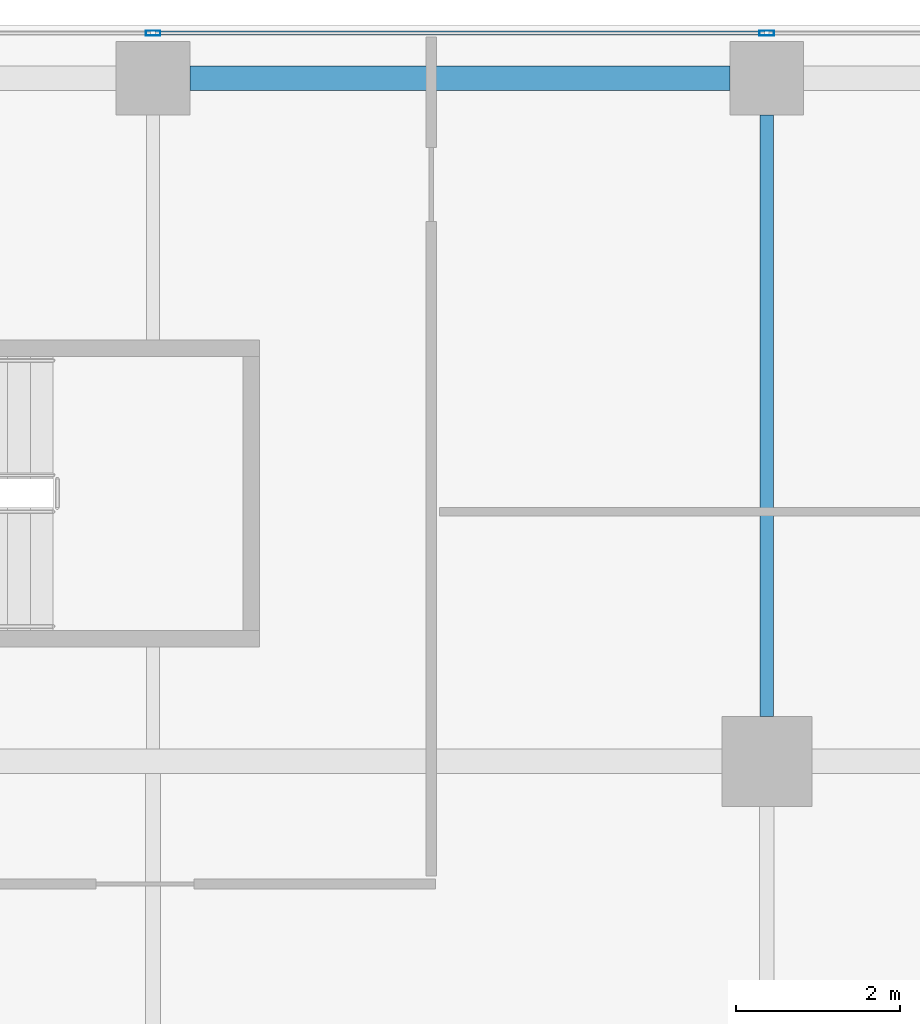
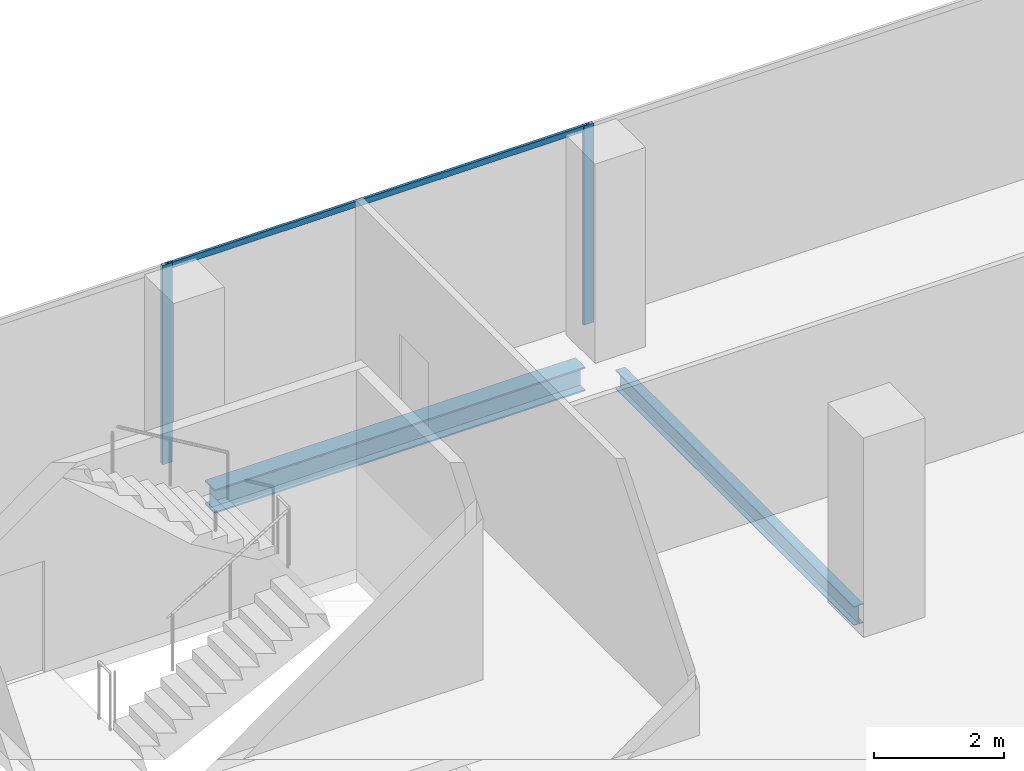
# One storey, part 18 of 34: 3 members, 2 beams, 1 element without a shape of its own.
"""IFC4 building model written with IfcOpenShell, lengths in metres."""

from ifc_helpers import new_model, si_unit, direction, frame, origin, origin_2d, place, context, subcontext, project, spatial, hollow_rectangle, i_section, extrude, source, transform, mapped, material, material_profile, profile_set, type_object, element, aggregate, save


model = new_model("IFC4")

# Units and contexts
model_context = context("Model", 3, precision=1e-05, world=origin(), true_north=direction((0.0, 1.0)))
body_context = subcontext(model_context, "Body", "Model", "MODEL_VIEW")
ifc_project = project(units=[si_unit("LENGTHUNIT", "METRE"), si_unit("AREAUNIT", "SQUARE_METRE"), si_unit("VOLUMEUNIT", "CUBIC_METRE"), si_unit("PLANEANGLEUNIT", "RADIAN"), si_unit("MASSUNIT", "GRAM", prefix="KILO")], contexts=[model_context])

# Site, building, storey
site_placement = place(None, origin())
site = spatial("IfcSite", under=ifc_project, at=site_placement, CompositionType="ELEMENT")
building_placement = place(site_placement, origin())
building = spatial("IfcBuilding", under=site, at=building_placement, Name="Khomas Fold Tower", CompositionType="ELEMENT")
storey_placement = place(building_placement, frame((0.0, 0.0, 254.199951171875)))
storey = spatial("IfcBuildingStorey", under=building, at=storey_placement, Name="L57", CompositionType="ELEMENT", Elevation=254.199951171875)

# Beams
ifc_material_1 = material(Name="Steel S355", Category="steel")
ifc_material_profile_1 = material_profile(ifc_material_1, i_section(OverallWidth=0.300048828125, OverallDepth=0.449951171875, WebThickness=0.013916015625, FlangeThickness=0.02587890625, at=origin_2d()), Name="HE 450 B")
ifc_profile_set_1 = profile_set([ifc_material_profile_1], Name="Steel S355")
beam_type_1 = type_object("IfcBeamType", Name="HE 450 B spandrel SB4", PredefinedType="SPANDREL", material=ifc_profile_set_1)
shared_shape_1 = source(origin(), body_context, "Body", "SweptSolid", [
    extrude(i_section(OverallWidth=0.300048828125, OverallDepth=0.449951171875, WebThickness=0.013916015625, FlangeThickness=0.02587890625, at=origin_2d()), origin(), (0.0, 0.0, 1.0), 6.60009765625),
])
beam_1_placement = place(storey_placement, frame((27.449951171875, 48.85009765625, -0.474853515625), z_axis=(1.0, 0.0, 0.0), x_axis=(0.0, 1.0, 0.0)))
element("IfcBeam", 1, at=beam_1_placement, inside=storey, type_object=beam_type_1, Name="SB4", PredefinedType="SPANDREL", context=body_context, shape_type="MappedRepresentation", body=[
    mapped(shared_shape_1, transform((0.0, 0.0, 0.0))),
])
ifc_material_2 = material(Name="Steel S355", Category="steel")
ifc_material_profile_2 = material_profile(ifc_material_2, i_section(OverallWidth=0.169921875, OverallDepth=0.360107421875, WebThickness=0.008056640625, FlangeThickness=0.0126953125, at=origin_2d()), Name="IPE 360")
ifc_profile_set_2 = profile_set([ifc_material_profile_2], Name="Steel S355")
beam_type_2 = type_object("IfcBeamType", Name="IPE 360 beam JB2", PredefinedType="BEAM", material=ifc_profile_set_2)
shared_shape_2 = source(origin(), body_context, "Body", "SweptSolid", [
    extrude(i_section(OverallWidth=0.169921875, OverallDepth=0.360107421875, WebThickness=0.008056640625, FlangeThickness=0.0126953125, at=origin_2d()), origin(), (0.0, 0.0, 1.0), 7.349853515625),
])
beam_2_placement = place(storey_placement, frame((34.5, 41.050048828125, -0.429931640625), z_axis=(0.0, 1.0, 0.0), x_axis=(-1.0, 0.0, 0.0)))
element("IfcBeam", 2, at=beam_2_placement, inside=storey, type_object=beam_type_2, Name="JB2", PredefinedType="BEAM", context=body_context, shape_type="MappedRepresentation", body=[
    mapped(shared_shape_2, transform((0.0, 0.0, 0.0))),
])

# Curtain wall, members
ifc_material_3 = material(Name="Aluminium framed double glazing", Category="aluminium")
curtain_wall_type = type_object("IfcCurtainWallType", Name="SK-Unitised clear-glass wall, office floors CW2", PredefinedType="NOTDEFINED", material=ifc_material_3)
curtain_wall_placement = place(storey_placement, origin())
curtain_wall = element("IfcCurtainWall", 3, at=curtain_wall_placement, inside=storey, type_object=curtain_wall_type, Name="CW2 run L57 06-0", PredefinedType="NOTDEFINED")
ifc_material_4 = material(Name="Aluminium", Category="aluminium")
ifc_material_profile_3 = material_profile(ifc_material_4, hollow_rectangle(XDim=0.06005859375, YDim=0.179931640625, WallThickness=0.00390625, at=origin_2d()), Name="SK-Unitised clear-glass wall, office floors mullion CW2-M")
ifc_profile_set_3 = profile_set([ifc_material_profile_3], Name="Aluminium")
member_type_1 = type_object("IfcMemberType", Name="SK-Unitised clear-glass wall, office floors mullion CW2-M", PredefinedType="MULLION", material=ifc_profile_set_3)
shared_shape_3 = source(origin(), body_context, "Body", "SweptSolid", [
    extrude(hollow_rectangle(XDim=0.06005859375, YDim=0.179931640625, WallThickness=0.00390625, at=origin_2d()), origin(), (0.0, 0.0, 1.0), 3.75),
])
member_1_placement = place(storey_placement, frame((34.5, 49.39990234375, 0.0), z_axis=(0.0, 0.0, 1.0), x_axis=(0.0, -1.0, 0.0)))
member_1 = element("IfcMember", 4, at=member_1_placement, type_object=member_type_1, Name="CW2 mullion 3", PredefinedType="MULLION", context=body_context, shape_type="MappedRepresentation", body=[
    mapped(shared_shape_3, transform((0.0, 0.0, 0.0))),
])
member_2_placement = place(storey_placement, frame((27.0, 49.39990234375, 0.0), z_axis=(0.0, 0.0, 1.0), x_axis=(0.0, -1.0, 0.0)))
member_2 = element("IfcMember", 5, at=member_2_placement, type_object=member_type_1, Name="CW2 mullion 4", PredefinedType="MULLION", context=body_context, shape_type="MappedRepresentation", body=[
    mapped(shared_shape_3, transform((0.0, 0.0, 0.0))),
])
ifc_material_5 = material(Name="Aluminium", Category="aluminium")
ifc_material_profile_4 = material_profile(ifc_material_5, hollow_rectangle(XDim=0.050048828125, YDim=0.110107421875, WallThickness=0.00390625, at=origin_2d()), Name="SK-Unitised clear-glass wall, office floors transom CW2-T")
ifc_profile_set_4 = profile_set([ifc_material_profile_4], Name="Aluminium")
member_type_2 = type_object("IfcMemberType", Name="SK-Unitised clear-glass wall, office floors transom CW2-T", PredefinedType="USERDEFINED", material=ifc_profile_set_4)
shared_shape_4 = source(origin(), body_context, "Body", "SweptSolid", [
    extrude(hollow_rectangle(XDim=0.050048828125, YDim=0.110107421875, WallThickness=0.00390625, at=origin_2d()), origin(), (0.0, 0.0, 1.0), 7.43994140625),
])
member_3_placement = place(storey_placement, frame((34.469970703125, 49.39990234375, 3.695068359375), z_axis=(-1.0, 0.0, 0.0), x_axis=(0.0, -1.0, 0.0)))
member_3 = element("IfcMember", 6, at=member_3_placement, type_object=member_type_2, Name="CW2 transom 3", ObjectType="TRANSOM", PredefinedType="USERDEFINED", context=body_context, shape_type="MappedRepresentation", body=[
    mapped(shared_shape_4, transform((0.0, 0.0, 0.0))),
])
aggregate(curtain_wall, [member_1, member_2, member_3])

save(model, "model.ifc")
